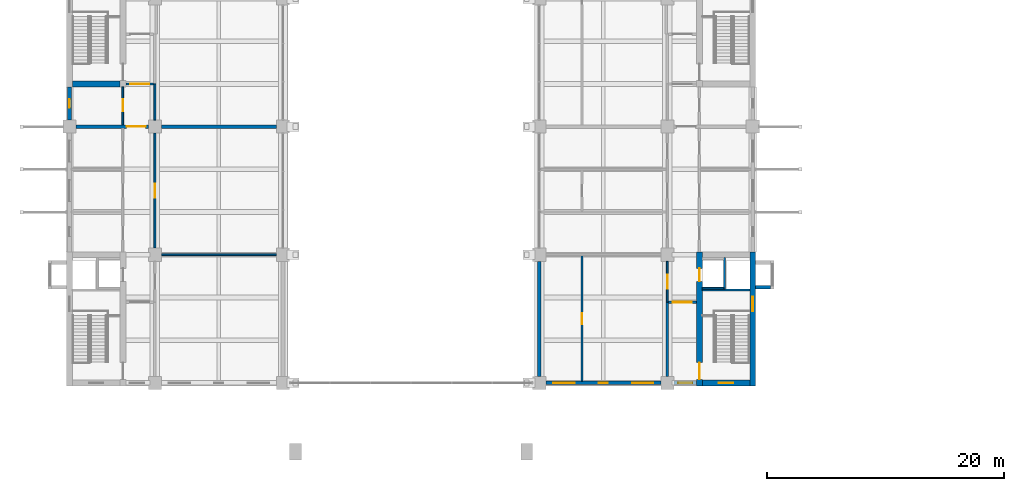
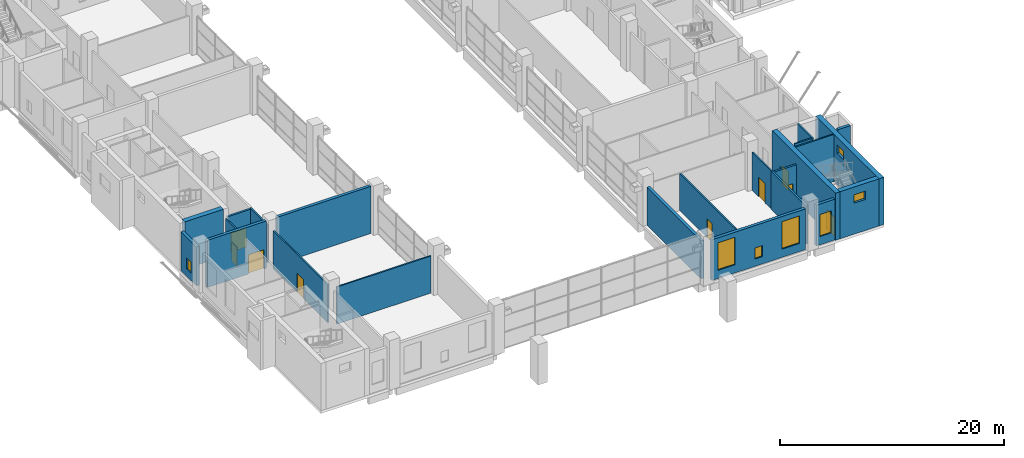
# One storey, part 18 of 38: 23 walls, 9 doors, 7 windows, 16 openings.
"""IFC4 building model written with IfcOpenShell, lengths in metres."""

from ifc_helpers import new_model, si_unit, direction, frame, frame_2d, origin, place, context, subcontext, project, spatial, rectangle, extrude, material, layer, layer_set, type_object, element, fill, save


model = new_model("IFC4")

# Units and contexts
model_context = context("Model", 3, precision=1e-05, world=origin(), true_north=direction((0.0, 1.0)))
body_context = subcontext(model_context, "Body", "Model", "MODEL_VIEW")
ifc_project = project(units=[si_unit("LENGTHUNIT", "METRE"), si_unit("AREAUNIT", "SQUARE_METRE"), si_unit("VOLUMEUNIT", "CUBIC_METRE"), si_unit("PLANEANGLEUNIT", "RADIAN"), si_unit("MASSUNIT", "GRAM", prefix="KILO")], contexts=[model_context])

# Site, building, storey
site_placement = place(None, origin())
site = spatial("IfcSite", under=ifc_project, at=site_placement, CompositionType="ELEMENT")
building_placement = place(site_placement, origin())
building = spatial("IfcBuilding", under=site, at=building_placement, Name="Basin Gate Institute", CompositionType="ELEMENT")
storey_placement = place(building_placement, frame((0.0, 0.0, 16.800048828125)))
storey = spatial("IfcBuildingStorey", under=building, at=storey_placement, Name="L03", CompositionType="ELEMENT", Elevation=16.800048828125)

# Wall
ifc_material_1 = material(Name="Fire-resisting board wall assembly")
ifc_layer_1 = layer(ifc_material_1, 0.300048828125)
ifc_layer_set_1 = layer_set([ifc_layer_1], Name="Atrium enclosure wall EW4")
wall_type_1 = type_object("IfcWallType", Name="Atrium enclosure wall EW4", PredefinedType="STANDARD", material=ifc_layer_set_1)
wall_1_placement = place(storey_placement, frame((100.800048828125, 35.64990234375, 0.0), z_axis=(0.0, 0.0, 1.0), x_axis=(0.0, 1.0, 0.0)))
element("IfcWall", 1, at=wall_1_placement, inside=storey, type_object=wall_type_1, material=ifc_layer_set_1, Name="Atrium enclosure wall E wing bay 1 L03", PredefinedType="STANDARD", context=body_context, shape_type="SweptSolid", body=[
    extrude(rectangle(XDim=9.7001953125, YDim=0.300048828125, at=frame_2d((4.85009765625, 0.0))), origin(), (0.0, 0.0, 1.0), 4.14990234375),
])

# Wall, opening, door
ifc_material_2 = material(Name="Fire-rated masonry", Category="masonry")
ifc_layer_2 = layer(ifc_material_2, 0.199951171875)
ifc_layer_set_2 = layer_set([ifc_layer_2], Name="Enclosure wall PW2 200 EI 60")
wall_type_2 = type_object("IfcWallType", Name="Enclosure wall PW2 200 EI 60", PredefinedType="PARTITIONING", material=ifc_layer_set_2)
wall_2_placement = place(storey_placement, frame((65.949951171875, 60.300048828125, 0.0), z_axis=(0.0, 0.0, 1.0), x_axis=(1.0, 0.0, 0.0)))
wall_2 = element("IfcWall", 2, at=wall_2_placement, inside=storey, type_object=wall_type_2, material=ifc_layer_set_2, Name="Smoke lobby enclosure wall PW2 L03", PredefinedType="PARTITIONING", context=body_context, shape_type="SweptSolid", body=[
    extrude(rectangle(XDim=2.35009765625, YDim=0.199951171875, at=frame_2d((1.175048828125, 0.0))), origin(), (0.0, 0.0, 1.0), 4.050048828125),
])
opening_1_placement = place(wall_2_placement, frame((0.375, 0.0, 0.0)))
opening_1 = element("IfcOpeningElement", 3, at=opening_1_placement, cuts=wall_2, Name="Opening DR192", PredefinedType="OPENING", context=body_context, shape_type="SweptSolid", body=[
    extrude(rectangle(XDim=1.60009765625, YDim=2.10009765625, at=frame_2d((0.800048828125, 1.050048828125))), frame((0.0, 0.10986328125, 0.0), z_axis=(0.0, -1.0, 0.0), x_axis=(1.0, 0.0, 0.0)), (0.0, 0.0, 1.0), 0.219970703125),
])
ifc_material_3 = material(Name="Steel fire door", Category="steel")
door_type_1 = type_object("IfcDoorType", Name="FD60 Smoke lobby door pair D8", OperationType="DOUBLE_DOOR_SINGLE_SWING", PredefinedType="DOOR", material=ifc_material_3)
door_1_placement = place(opening_1_placement, origin())
door_1 = element("IfcDoor", 4, at=door_1_placement, inside=storey, type_object=door_type_1, material=ifc_material_3, Name="Smoke lobby door SS2 L03", OperationType="DOUBLE_DOOR_SINGLE_SWING", OverallHeight=2.10009765625, OverallWidth=1.60009765625, PredefinedType="DOOR", context=body_context, shape_type="SweptSolid", body=[
    extrude(rectangle(XDim=1.60009765625, YDim=2.10009765625, at=frame_2d((0.800048828125, 1.050048828125))), frame((0.0, 0.02490234375, 0.0), z_axis=(0.0, -1.0, 0.0), x_axis=(1.0, 0.0, 0.0)), (0.0, 0.0, 1.0), 0.050048828125),
])
fill(opening_1, door_1)

wall_3_placement = place(storey_placement, frame((114.050048828125, 41.89990234375, 0.0), z_axis=(0.0, 0.0, 1.0), x_axis=(-1.0, 0.0, 0.0)))
wall_3 = element("IfcWall", 5, at=wall_3_placement, inside=storey, type_object=wall_type_2, material=ifc_layer_set_2, Name="Smoke lobby enclosure wall PW2 L03", PredefinedType="PARTITIONING", context=body_context, shape_type="SweptSolid", body=[
    extrude(rectangle(XDim=2.35009765625, YDim=0.199951171875, at=frame_2d((1.175048828125, 0.0))), origin(), (0.0, 0.0, 1.0), 4.050048828125),
])
opening_2_placement = place(wall_3_placement, frame((0.375, 0.0, 0.0)))
opening_2 = element("IfcOpeningElement", 6, at=opening_2_placement, cuts=wall_3, Name="Opening DR170", PredefinedType="OPENING", context=body_context, shape_type="SweptSolid", body=[
    extrude(rectangle(XDim=1.60009765625, YDim=2.10009765625, at=frame_2d((0.800048828125, 1.050048828125))), frame((0.0, 0.10986328125, 0.0), z_axis=(0.0, -1.0, 0.0), x_axis=(1.0, 0.0, 0.0)), (0.0, 0.0, 1.0), 0.219970703125),
])
door_2_placement = place(opening_2_placement, origin())
door_2 = element("IfcDoor", 7, at=door_2_placement, inside=storey, type_object=door_type_1, material=ifc_material_3, Name="Smoke lobby door SS4 L03", OperationType="DOUBLE_DOOR_SINGLE_SWING", OverallHeight=2.10009765625, OverallWidth=1.60009765625, PredefinedType="DOOR", context=body_context, shape_type="SweptSolid", body=[
    extrude(rectangle(XDim=1.60009765625, YDim=2.10009765625, at=frame_2d((0.800048828125, 1.050048828125))), frame((0.0, 0.02490234375, 0.0), z_axis=(0.0, -1.0, 0.0), x_axis=(1.0, 0.0, 0.0)), (0.0, 0.0, 1.0), 0.050048828125),
])
fill(opening_2, door_2)

# Wall
wall_4_placement = place(storey_placement, frame((111.60009765625, 35.64990234375, 0.0), z_axis=(0.0, 0.0, 1.0), x_axis=(0.0, 1.0, 0.0)))
element("IfcWall", 8, at=wall_4_placement, inside=storey, type_object=wall_type_2, material=ifc_layer_set_2, Name="Smoke lobby enclosure wall PW2 L03", PredefinedType="PARTITIONING", context=body_context, shape_type="SweptSolid", body=[
    extrude(rectangle(XDim=6.25, YDim=0.199951171875, at=frame_2d((3.125, 0.0))), origin(), (0.0, 0.0, 1.0), 4.14990234375),
])

# Wall, opening, window
ifc_material_4 = material(Name="Aluminium-faced insulated panel wall", Category="aluminium")
ifc_layer_3 = layer(ifc_material_4, 0.300048828125)
ifc_layer_set_3 = layer_set([ifc_layer_3], Name="External wall EW1 EI 120")
wall_type_3 = type_object("IfcWallType", Name="External wall EW1 EI 120", PredefinedType="STANDARD", material=ifc_layer_set_3)
wall_5_placement = place(storey_placement, frame((61.199951171875, 57.25, 0.0), z_axis=(0.0, 0.0, 1.0), x_axis=(0.0, 1.0, 0.0)))
wall_5 = element("IfcWall", 9, at=wall_5_placement, inside=storey, type_object=wall_type_3, material=ifc_layer_set_3, Name="External wall W facade L03 2", PredefinedType="STANDARD", context=body_context, shape_type="SweptSolid", body=[
    extrude(rectangle(XDim=2.800048828125, YDim=0.300048828125, at=frame_2d((1.39990234375, 0.0))), origin(), (0.0, 0.0, 1.0), 4.25),
])
opening_3_placement = place(wall_5_placement, frame((1.02490234375, 0.0, 0.800048828125)))
opening_3 = element("IfcOpeningElement", 10, at=opening_3_placement, cuts=wall_5, Name="Opening WN3", PredefinedType="OPENING", context=body_context, shape_type="SweptSolid", body=[
    extrude(rectangle(XDim=0.75, YDim=1.199951171875, at=frame_2d((0.375, 0.60009765625))), frame((0.0, 0.16015625, 0.0), z_axis=(0.0, -1.0, 0.0), x_axis=(1.0, 0.0, 0.0)), (0.0, 0.0, 1.0), 0.320068359375),
])
ifc_material_5 = material(Name="Aluminium-framed double glazing", Category="aluminium")
window_type_1 = type_object("IfcWindowType", Name="Emergency entry panel WN3", PartitioningType="SINGLE_PANEL", PredefinedType="WINDOW", material=ifc_material_5)
window_1_placement = place(opening_3_placement, origin())
window_1 = element("IfcWindow", 11, at=window_1_placement, inside=storey, type_object=window_type_1, material=ifc_material_5, Name="Emergency entry panel W facade L03 bay 7", OverallHeight=1.199951171875, OverallWidth=0.75, PartitioningType="SINGLE_PANEL", PredefinedType="WINDOW", context=body_context, shape_type="SweptSolid", body=[
    extrude(rectangle(XDim=0.75, YDim=1.199951171875, at=frame_2d((0.375, 0.60009765625))), frame((0.0, 0.030029296875, 0.0), z_axis=(0.0, -1.0, 0.0), x_axis=(1.0, 0.0, 0.0)), (0.0, 0.0, 1.0), 0.06005859375),
])
fill(opening_3, window_1)

wall_6_placement = place(storey_placement, frame((114.050048828125, 35.10009765625, 0.0), z_axis=(0.0, 0.0, 1.0), x_axis=(-1.0, 0.0, 0.0)))
wall_6 = element("IfcWall", 12, at=wall_6_placement, inside=storey, type_object=wall_type_3, material=ifc_layer_set_3, Name="External end wall E wing south L03 1", PredefinedType="STANDARD", context=body_context, shape_type="SweptSolid", body=[
    extrude(rectangle(XDim=1.900146484375, YDim=0.300048828125, at=frame_2d((0.9501953125, 0.0))), origin(), (0.0, 0.0, 1.0), 4.449951171875),
])
opening_4_placement = place(wall_6_placement, frame((0.35009765625, 0.0, 0.89990234375)))
opening_4 = element("IfcOpeningElement", 13, at=opening_4_placement, cuts=wall_6, Name="Opening WN4", PredefinedType="OPENING", context=body_context, shape_type="SweptSolid", body=[
    extrude(rectangle(XDim=1.199951171875, YDim=2.39990234375, at=frame_2d((0.60009765625, 1.199951171875))), frame((0.0, 0.16015625, 0.0), z_axis=(0.0, -1.0, 0.0), x_axis=(1.0, 0.0, 0.0)), (0.0, 0.0, 1.0), 0.320068359375),
])
ifc_material_6 = material(Name="Aluminium-framed double glazing", Category="aluminium")
window_type_2 = type_object("IfcWindowType", Name="Corridor end window WN4", PartitioningType="SINGLE_PANEL", PredefinedType="WINDOW", material=ifc_material_6)
window_2_placement = place(opening_4_placement, origin())
window_2 = element("IfcWindow", 14, at=window_2_placement, inside=storey, type_object=window_type_2, material=ifc_material_6, Name="Corridor end window E wing S L03", OverallHeight=2.39990234375, OverallWidth=1.199951171875, PartitioningType="SINGLE_PANEL", PredefinedType="WINDOW", context=body_context, shape_type="SweptSolid", body=[
    extrude(rectangle(XDim=1.199951171875, YDim=2.39990234375, at=frame_2d((0.60009765625, 1.199951171875))), frame((0.0, 0.030029296875, 0.0), z_axis=(0.0, -1.0, 0.0), x_axis=(1.0, 0.0, 0.0)), (0.0, 0.0, 1.0), 0.06005859375),
])
fill(opening_4, window_2)

# Wall, openings, windows
wall_7_placement = place(storey_placement, frame((111.050048828125, 35.10009765625, 0.0), z_axis=(0.0, 0.0, 1.0), x_axis=(-1.0, 0.0, 0.0)))
wall_7 = element("IfcWall", 15, at=wall_7_placement, inside=storey, type_object=wall_type_3, material=ifc_layer_set_3, Name="External end wall E wing south L03 2", PredefinedType="STANDARD", context=body_context, shape_type="SweptSolid", body=[
    extrude(rectangle(XDim=9.699951171875, YDim=0.300048828125, at=frame_2d((4.85009765625, 0.0))), origin(), (0.0, 0.0, 1.0), 4.449951171875),
])
opening_5_placement = place(wall_7_placement, frame((0.625, 0.0, 0.89990234375)))
opening_5 = element("IfcOpeningElement", 16, at=opening_5_placement, cuts=wall_7, Name="Opening WN2", PredefinedType="OPENING", context=body_context, shape_type="SweptSolid", body=[
    extrude(rectangle(XDim=1.800048828125, YDim=3.0, at=frame_2d((0.89990234375, 1.5))), frame((0.0, 0.16015625, 0.0), z_axis=(0.0, -1.0, 0.0), x_axis=(1.0, 0.0, 0.0)), (0.0, 0.0, 1.0), 0.320068359375),
])
opening_6_placement = place(wall_7_placement, frame((4.47509765625, 0.0, 0.800048828125)))
opening_6 = element("IfcOpeningElement", 17, at=opening_6_placement, cuts=wall_7, Name="Opening WN3", PredefinedType="OPENING", context=body_context, shape_type="SweptSolid", body=[
    extrude(rectangle(XDim=0.75, YDim=1.199951171875, at=frame_2d((0.375, 0.60009765625))), frame((0.0, 0.16015625, 0.0), z_axis=(0.0, -1.0, 0.0), x_axis=(1.0, 0.0, 0.0)), (0.0, 0.0, 1.0), 0.320068359375),
])
opening_7_placement = place(wall_7_placement, frame((7.27490234375, 0.0, 0.89990234375)))
opening_7 = element("IfcOpeningElement", 18, at=opening_7_placement, cuts=wall_7, Name="Opening WN2", PredefinedType="OPENING", context=body_context, shape_type="SweptSolid", body=[
    extrude(rectangle(XDim=1.800048828125, YDim=3.0, at=frame_2d((0.89990234375, 1.5))), frame((0.0, 0.16015625, 0.0), z_axis=(0.0, -1.0, 0.0), x_axis=(1.0, 0.0, 0.0)), (0.0, 0.0, 1.0), 0.320068359375),
])
window_3_placement = place(opening_6_placement, origin())
window_3 = element("IfcWindow", 19, at=window_3_placement, inside=storey, type_object=window_type_1, material=ifc_material_5, Name="Emergency entry panel E wing end S L03 bay 2", OverallHeight=1.199951171875, OverallWidth=0.75, PartitioningType="SINGLE_PANEL", PredefinedType="WINDOW", context=body_context, shape_type="SweptSolid", body=[
    extrude(rectangle(XDim=0.75, YDim=1.199951171875, at=frame_2d((0.375, 0.60009765625))), frame((0.0, 0.030029296875, 0.0), z_axis=(0.0, -1.0, 0.0), x_axis=(1.0, 0.0, 0.0)), (0.0, 0.0, 1.0), 0.06005859375),
])
fill(opening_6, window_3)
ifc_material_7 = material(Name="Aluminium-framed double glazing", Category="aluminium")
window_type_3 = type_object("IfcWindowType", Name="Podium window WN2", PartitioningType="SINGLE_PANEL", PredefinedType="WINDOW", material=ifc_material_7)
window_4_placement = place(opening_5_placement, origin())
window_4 = element("IfcWindow", 20, at=window_4_placement, inside=storey, type_object=window_type_3, material=ifc_material_7, Name="Podium window E wing end S L03 bay 1", OverallHeight=3.0, OverallWidth=1.800048828125, PartitioningType="SINGLE_PANEL", PredefinedType="WINDOW", context=body_context, shape_type="SweptSolid", body=[
    extrude(rectangle(XDim=1.800048828125, YDim=3.0, at=frame_2d((0.89990234375, 1.5))), frame((0.0, 0.030029296875, 0.0), z_axis=(0.0, -1.0, 0.0), x_axis=(1.0, 0.0, 0.0)), (0.0, 0.0, 1.0), 0.06005859375),
])
fill(opening_5, window_4)
window_5_placement = place(opening_7_placement, origin())
window_5 = element("IfcWindow", 21, at=window_5_placement, inside=storey, type_object=window_type_3, material=ifc_material_7, Name="Podium window E wing end S L03 bay 3", OverallHeight=3.0, OverallWidth=1.800048828125, PartitioningType="SINGLE_PANEL", PredefinedType="WINDOW", context=body_context, shape_type="SweptSolid", body=[
    extrude(rectangle(XDim=1.800048828125, YDim=3.0, at=frame_2d((0.89990234375, 1.5))), frame((0.0, 0.030029296875, 0.0), z_axis=(0.0, -1.0, 0.0), x_axis=(1.0, 0.0, 0.0)), (0.0, 0.0, 1.0), 0.06005859375),
])
fill(opening_7, window_5)

# Wall, opening, door
ifc_material_8 = material(Name="Gypsum board on steel stud", Category="steel")
ifc_layer_4 = layer(ifc_material_8, 0.14990234375)
ifc_layer_set_4 = layer_set([ifc_layer_4], Name="Gypsum board on steel stud")
wall_type_4 = type_object("IfcWallType", Name="Partition PW1 150 EI 60", PredefinedType="PARTITIONING", material=ifc_layer_set_4)
wall_8_placement = place(storey_placement, frame((65.699951171875, 56.85009765625, 0.0), z_axis=(0.0, 0.0, 1.0), x_axis=(0.0, 1.0, 0.0)))
wall_8 = element("IfcWall", 22, at=wall_8_placement, inside=storey, type_object=wall_type_4, material=ifc_layer_set_4, Name="Corridor wall PW1 L03", PredefinedType="PARTITIONING", context=body_context, shape_type="SweptSolid", body=[
    extrude(rectangle(XDim=3.199951171875, YDim=0.14990234375, at=frame_2d((1.60009765625, 0.0))), origin(), (0.0, 0.0, 1.0), 4.050048828125),
])
opening_8_placement = place(wall_8_placement, frame((1.14990234375, 0.0, 0.0)))
opening_8 = element("IfcOpeningElement", 23, at=opening_8_placement, cuts=wall_8, Name="Opening DR187", PredefinedType="OPENING", context=body_context, shape_type="SweptSolid", body=[
    extrude(rectangle(XDim=1.0, YDim=2.10009765625, at=frame_2d((0.5, 1.050048828125))), frame((0.0, 0.0849609375, 0.0), z_axis=(0.0, -1.0, 0.0), x_axis=(1.0, 0.0, 0.0)), (0.0, 0.0, 1.0), 0.169921875),
])
ifc_material_9 = material(Name="Timber fire door", Category="wood")
door_type_2 = type_object("IfcDoorType", Name="FD30 Office door D1", OperationType="NOTDEFINED", PredefinedType="DOOR", material=ifc_material_9)
door_3_placement = place(opening_8_placement, origin())
door_3 = element("IfcDoor", 24, at=door_3_placement, inside=storey, type_object=door_type_2, material=ifc_material_9, Name="Door to Write-up Office 0304 L03", OperationType="SINGLE_SWING_RIGHT", OverallHeight=2.10009765625, OverallWidth=1.0, PredefinedType="DOOR", context=body_context, shape_type="SweptSolid", body=[
    extrude(rectangle(XDim=1.0, YDim=2.10009765625, at=frame_2d((0.5, 1.050048828125))), frame((0.0, 0.02490234375, 0.0), z_axis=(0.0, -1.0, 0.0), x_axis=(1.0, 0.0, 0.0)), (0.0, 0.0, 1.0), 0.050048828125),
])
fill(opening_8, door_3)

wall_9_placement = place(storey_placement, frame((68.39990234375, 46.449951171875, 0.0), z_axis=(0.0, 0.0, 1.0), x_axis=(0.0, 1.0, 0.0)))
wall_9 = element("IfcWall", 25, at=wall_9_placement, inside=storey, type_object=wall_type_4, material=ifc_layer_set_4, Name="Laboratory corridor wall PW1 L03", PredefinedType="PARTITIONING", context=body_context, shape_type="SweptSolid", body=[
    extrude(rectangle(XDim=9.699951171875, YDim=0.14990234375, at=frame_2d((4.85009765625, 0.0))), origin(), (0.0, 0.0, 1.0), 4.14990234375),
])
opening_9_placement = place(wall_9_placement, frame((4.25, 0.0, 0.0)))
opening_9 = element("IfcOpeningElement", 26, at=opening_9_placement, cuts=wall_9, Name="Opening DR182", PredefinedType="OPENING", context=body_context, shape_type="SweptSolid", body=[
    extrude(rectangle(XDim=1.199951171875, YDim=2.10009765625, at=frame_2d((0.60009765625, 1.050048828125))), frame((0.0, 0.0849609375, 0.0), z_axis=(0.0, -1.0, 0.0), x_axis=(1.0, 0.0, 0.0)), (0.0, 0.0, 1.0), 0.169921875),
])
ifc_material_10 = material(Name="Timber fire door", Category="wood")
door_type_3 = type_object("IfcDoorType", Name="FD30 Laboratory door D2", OperationType="DOUBLE_DOOR_SINGLE_SWING", PredefinedType="DOOR", material=ifc_material_10)
door_4_placement = place(opening_9_placement, frame((1.199951171875, 0.0, 0.0), z_axis=(0.0, 0.0, 1.0), x_axis=(-1.0, 0.0, 0.0)))
door_4 = element("IfcDoor", 27, at=door_4_placement, inside=storey, type_object=door_type_3, material=ifc_material_10, Name="Door to Wet Laboratory 0318 L03", OperationType="DOUBLE_DOOR_SINGLE_SWING", OverallHeight=2.10009765625, OverallWidth=1.199951171875, PredefinedType="DOOR", context=body_context, shape_type="SweptSolid", body=[
    extrude(rectangle(XDim=1.199951171875, YDim=2.10009765625, at=frame_2d((0.60009765625, 1.050048828125))), frame((0.0, 0.02490234375, 0.0), z_axis=(0.0, -1.0, 0.0), x_axis=(1.0, 0.0, 0.0)), (0.0, 0.0, 1.0), 0.050048828125),
])
fill(opening_9, door_4)

# Walls
wall_10_placement = place(storey_placement, frame((68.39990234375, 57.25, 0.0), z_axis=(0.0, 0.0, 1.0), x_axis=(0.0, 1.0, 0.0)))
element("IfcWall", 28, at=wall_10_placement, inside=storey, type_object=wall_type_4, material=ifc_layer_set_4, Name="Laboratory corridor wall PW1 L03", PredefinedType="PARTITIONING", context=body_context, shape_type="SweptSolid", body=[
    extrude(rectangle(XDim=3.050048828125, YDim=0.14990234375, at=frame_2d((1.52490234375, 0.0))), origin(), (0.0, 0.0, 1.0), 4.14990234375),
])
wall_11_placement = place(storey_placement, frame((68.949951171875, 45.89990234375, 0.0), z_axis=(0.0, 0.0, 1.0), x_axis=(1.0, 0.0, 0.0)))
element("IfcWall", 29, at=wall_11_placement, inside=storey, type_object=wall_type_4, material=ifc_layer_set_4, Name="Laboratory partition PW1 L03", PredefinedType="PARTITIONING", context=body_context, shape_type="SweptSolid", body=[
    extrude(rectangle(XDim=9.699951171875, YDim=0.14990234375, at=frame_2d((4.85009765625, 0.0))), origin(), (0.0, 0.0, 1.0), 4.050048828125),
])

# Wall, opening, door
wall_12_placement = place(storey_placement, frame((111.60009765625, 41.89990234375, 0.0), z_axis=(0.0, 0.0, 1.0), x_axis=(0.0, 1.0, 0.0)))
wall_12 = element("IfcWall", 30, at=wall_12_placement, inside=storey, type_object=wall_type_4, material=ifc_layer_set_4, Name="Laboratory corridor wall PW1 L03", PredefinedType="PARTITIONING", context=body_context, shape_type="SweptSolid", body=[
    extrude(rectangle(XDim=3.4501953125, YDim=0.14990234375, at=frame_2d((1.72509765625, 0.0))), origin(), (0.0, 0.0, 1.0), 4.14990234375),
])
opening_10_placement = place(wall_12_placement, frame((1.125, 0.0, 0.0)))
opening_10 = element("IfcOpeningElement", 31, at=opening_10_placement, cuts=wall_12, Name="Opening DR153", PredefinedType="OPENING", context=body_context, shape_type="SweptSolid", body=[
    extrude(rectangle(XDim=1.199951171875, YDim=2.10009765625, at=frame_2d((0.60009765625, 1.050048828125))), frame((0.0, 0.0849609375, 0.0), z_axis=(0.0, -1.0, 0.0), x_axis=(1.0, 0.0, 0.0)), (0.0, 0.0, 1.0), 0.169921875),
])
door_5_placement = place(opening_10_placement, origin())
door_5 = element("IfcDoor", 32, at=door_5_placement, inside=storey, type_object=door_type_3, material=ifc_material_10, Name="Door to Exhaust Fan Room 0366 L03", OperationType="DOUBLE_DOOR_SINGLE_SWING", OverallHeight=2.10009765625, OverallWidth=1.199951171875, PredefinedType="DOOR", context=body_context, shape_type="SweptSolid", body=[
    extrude(rectangle(XDim=1.199951171875, YDim=2.10009765625, at=frame_2d((0.60009765625, 1.050048828125))), frame((0.0, 0.02490234375, 0.0), z_axis=(0.0, -1.0, 0.0), x_axis=(1.0, 0.0, 0.0)), (0.0, 0.0, 1.0), 0.050048828125),
])
fill(opening_10, door_5)

wall_13_placement = place(storey_placement, frame((104.39990234375, 35.25, 0.0), z_axis=(0.0, 0.0, 1.0), x_axis=(0.0, 1.0, 0.0)))
wall_13 = element("IfcWall", 33, at=wall_13_placement, inside=storey, type_object=wall_type_4, material=ifc_layer_set_4, Name="Laboratory partition PW1 L03", PredefinedType="PARTITIONING", context=body_context, shape_type="SweptSolid", body=[
    extrude(rectangle(XDim=10.574951171875, YDim=0.14990234375, at=frame_2d((5.28759765625, 0.0))), origin(), (0.0, 0.0, 1.0), 4.050048828125),
])
opening_11_placement = place(wall_13_placement, frame((4.800048828125, 0.0, 0.0)))
opening_11 = element("IfcOpeningElement", 34, at=opening_11_placement, cuts=wall_13, Name="Opening DR162", PredefinedType="OPENING", context=body_context, shape_type="SweptSolid", body=[
    extrude(rectangle(XDim=0.89990234375, YDim=2.10009765625, at=frame_2d((0.449951171875, 1.050048828125))), frame((0.0, 0.0849609375, 0.0), z_axis=(0.0, -1.0, 0.0), x_axis=(1.0, 0.0, 0.0)), (0.0, 0.0, 1.0), 0.169921875),
])
ifc_material_11 = material(Name="Steel fire door", Category="steel")
door_type_4 = type_object("IfcDoorType", Name="FD60 Riser door D10", OperationType="NOTDEFINED", PredefinedType="DOOR", material=ifc_material_11)
door_6_placement = place(opening_11_placement, origin())
door_6 = element("IfcDoor", 35, at=door_6_placement, inside=storey, type_object=door_type_4, material=ifc_material_11, Name="Door to Riser Room 0367 L03", OperationType="SINGLE_SWING_LEFT", OverallHeight=2.10009765625, OverallWidth=0.89990234375, PredefinedType="DOOR", context=body_context, shape_type="SweptSolid", body=[
    extrude(rectangle(XDim=0.89990234375, YDim=2.10009765625, at=frame_2d((0.449951171875, 1.050048828125))), frame((0.0, 0.02490234375, 0.0), z_axis=(0.0, -1.0, 0.0), x_axis=(1.0, 0.0, 0.0)), (0.0, 0.0, 1.0), 0.050048828125),
])
fill(opening_11, door_6)

# Walls
ifc_material_12 = material(Name="Concrete 40 MPa", Category="concrete")
ifc_layer_5 = layer(ifc_material_12, 0.14990234375)
ifc_layer_set_5 = layer_set([ifc_layer_5], Name="Concrete 40 MPa")
wall_type_5 = type_object("IfcWallType", Name="Wall LS1 lift shaft enclosure R180", PredefinedType="SOLIDWALL", material=ifc_layer_set_5)
wall_14_placement = place(storey_placement, frame((116.425048828125, 43.0, 0.0), z_axis=(0.0, 0.0, 1.0), x_axis=(0.0, 1.0, 0.0)))
element("IfcWall", 36, at=wall_14_placement, inside=storey, type_object=wall_type_5, material=ifc_layer_set_5, Name="Lift shaft enclosure LP4 L03 UL", PredefinedType="SOLIDWALL", context=body_context, shape_type="SweptSolid", body=[
    extrude(rectangle(XDim=2.64990234375, YDim=0.14990234375, at=frame_2d((1.324951171875, 0.0))), origin(), (0.0, 0.0, 1.0), 5.39990234375),
])
wall_15_placement = place(storey_placement, frame((116.35009765625, 43.074951171875, 0.0), z_axis=(0.0, 0.0, 1.0), x_axis=(-1.0, 0.0, 0.0)))
element("IfcWall", 37, at=wall_15_placement, inside=storey, type_object=wall_type_5, material=ifc_layer_set_5, Name="Lift shaft enclosure LP4 L03 RL", PredefinedType="SOLIDWALL", context=body_context, shape_type="SweptSolid", body=[
    extrude(rectangle(XDim=1.800048828125, YDim=0.14990234375, at=frame_2d((0.89990234375, 0.0))), origin(), (0.0, 0.0, 1.0), 5.39990234375),
])
ifc_material_13 = material(Name="Concrete 40 MPa", Category="concrete")
ifc_layer_6 = layer(ifc_material_13, 0.14990234375)
ifc_layer_set_6 = layer_set([ifc_layer_6], Name="Concrete 40 MPa")
wall_type_6 = type_object("IfcWallType", Name="Wall SE1 stair enclosure R180", PredefinedType="SOLIDWALL", material=ifc_layer_set_6)
wall_16_placement = place(storey_placement, frame((118.550048828125, 42.925048828125, 0.0), z_axis=(0.0, 0.0, 1.0), x_axis=(-1.0, 0.0, 0.0)))
element("IfcWall", 38, at=wall_16_placement, inside=storey, type_object=wall_type_6, material=ifc_layer_set_6, Name="Stair enclosure wall ST-ES L03", PredefinedType="SOLIDWALL", context=body_context, shape_type="SweptSolid", body=[
    extrude(rectangle(XDim=4.0, YDim=0.14990234375, at=frame_2d((2.0, 0.0))), origin(), (0.0, 0.0, 1.0), 5.14990234375),
])
ifc_material_14 = material(Name="Concrete 50 MPa", Category="concrete")
ifc_layer_7 = layer(ifc_material_14, 0.300048828125)
ifc_layer_set_7 = layer_set([ifc_layer_7], Name="Concrete 50 MPa")
wall_type_7 = type_object("IfcWallType", Name="Wall SK1 R180", PredefinedType="SHEAR", material=ifc_layer_set_7)
wall_17_placement = place(storey_placement, frame((119.050048828125, 43.14990234375, 0.0), z_axis=(0.0, 0.0, 1.0), x_axis=(1.0, 0.0, 0.0)))
element("IfcWall", 39, at=wall_17_placement, inside=storey, type_object=wall_type_7, material=ifc_layer_set_7, Name="Spine riser stack wall SK1 ES A L03", PredefinedType="SHEAR", context=body_context, shape_type="SweptSolid", body=[
    extrude(rectangle(XDim=1.25, YDim=0.300048828125, at=frame_2d((0.625, 0.0))), origin(), (0.0, 0.0, 1.0), 5.39990234375),
])
ifc_material_15 = material(Name="Concrete 60 MPa", Category="concrete")
ifc_layer_8 = layer(ifc_material_15, 0.5)
ifc_layer_set_8 = layer_set([ifc_layer_8], Name="Concrete 60 MPa")
wall_type_8 = type_object("IfcWallType", Name="Wall SW1 R180", PredefinedType="SHEAR", material=ifc_layer_set_8)
wall_18_placement = place(storey_placement, frame((61.449951171875, 60.300048828125, 0.0), z_axis=(0.0, 0.0, 1.0), x_axis=(1.0, 0.0, 0.0)))
element("IfcWall", 40, at=wall_18_placement, inside=storey, type_object=wall_type_8, material=ifc_layer_set_8, Name="WALL/L03/WM/S", PredefinedType="SHEAR", context=body_context, shape_type="SweptSolid", body=[
    extrude(rectangle(XDim=4.0, YDim=0.5, at=frame_2d((2.0, 0.0))), origin(), (0.0, 0.0, 1.0), 5.14990234375),
])

# Wall, opening, window
wall_19_placement = place(storey_placement, frame((118.800048828125, 34.85009765625, 0.0), z_axis=(0.0, 0.0, 1.0), x_axis=(0.0, 1.0, 0.0)))
wall_19 = element("IfcWall", 41, at=wall_19_placement, inside=storey, type_object=wall_type_8, material=ifc_layer_set_8, Name="WALL/L03/ES/L", PredefinedType="SHEAR", context=body_context, shape_type="SweptSolid", body=[
    extrude(rectangle(XDim=11.2998046875, YDim=0.5, at=frame_2d((5.64990234375, 0.0))), origin(), (0.0, 0.0, 1.0), 5.14990234375),
])
opening_12_placement = place(wall_19_placement, frame((6.300048828125, 0.0, 3.39990234375)))
opening_12 = element("IfcOpeningElement", 42, at=opening_12_placement, cuts=wall_19, Name="Opening WT1", PredefinedType="OPENING", context=body_context, shape_type="SweptSolid", body=[
    extrude(rectangle(XDim=1.199951171875, YDim=0.89990234375, at=frame_2d((0.60009765625, 0.449951171875))), frame((0.0, 0.260009765625, 0.0), z_axis=(0.0, -1.0, 0.0), x_axis=(1.0, 0.0, 0.0)), (0.0, 0.0, 1.0), 0.52001953125),
])
ifc_material_16 = material(Name="Fire-resistant glazing in steel-free frame", Category="steel")
window_type_4 = type_object("IfcWindowType", Name="Rated stair window EI 180 WT1", PartitioningType="SINGLE_PANEL", PredefinedType="WINDOW", material=ifc_material_16)
window_6_placement = place(opening_12_placement, origin())
window_6 = element("IfcWindow", 43, at=window_6_placement, inside=storey, type_object=window_type_4, material=ifc_material_16, Name="Rated stair window EI 180 ES landing L03", OverallHeight=0.89990234375, OverallWidth=1.199951171875, PartitioningType="SINGLE_PANEL", PredefinedType="WINDOW", context=body_context, shape_type="SweptSolid", body=[
    extrude(rectangle(XDim=1.199951171875, YDim=0.89990234375, at=frame_2d((0.60009765625, 0.449951171875))), frame((0.0, 0.030029296875, 0.0), z_axis=(0.0, -1.0, 0.0), x_axis=(1.0, 0.0, 0.0)), (0.0, 0.0, 1.0), 0.06005859375),
])
fill(opening_12, window_6)

# Wall, openings, doors
wall_20_placement = place(storey_placement, frame((114.300048828125, 34.85009765625, 0.0), z_axis=(0.0, 0.0, 1.0), x_axis=(0.0, 1.0, 0.0)))
wall_20 = element("IfcWall", 44, at=wall_20_placement, inside=storey, type_object=wall_type_8, material=ifc_layer_set_8, Name="WALL/L03/ES/C", PredefinedType="SHEAR", context=body_context, shape_type="SweptSolid", body=[
    extrude(rectangle(XDim=11.2998046875, YDim=0.5, at=frame_2d((5.64990234375, 0.0))), origin(), (0.0, 0.0, 1.0), 5.14990234375),
])
opening_13_placement = place(wall_20_placement, frame((0.550048828125, 0.0, 0.0)))
opening_13 = element("IfcOpeningElement", 45, at=opening_13_placement, cuts=wall_20, Name="Opening DS022", PredefinedType="OPENING", context=body_context, shape_type="SweptSolid", body=[
    extrude(rectangle(XDim=1.39990234375, YDim=2.10009765625, at=frame_2d((0.699951171875, 1.050048828125))), frame((0.0, 0.260009765625, 0.0), z_axis=(0.0, -1.0, 0.0), x_axis=(1.0, 0.0, 0.0)), (0.0, 0.0, 1.0), 0.52001953125),
])
opening_14_placement = place(wall_20_placement, frame((8.800048828125, 0.0, 0.0)))
opening_14 = element("IfcOpeningElement", 46, at=opening_14_placement, cuts=wall_20, Name="Opening LD075", PredefinedType="OPENING", context=body_context, shape_type="SweptSolid", body=[
    extrude(rectangle(XDim=1.10009765625, YDim=2.10009765625, at=frame_2d((0.550048828125, 1.050048828125))), frame((0.0, 0.260009765625, 0.0), z_axis=(0.0, -1.0, 0.0), x_axis=(1.0, 0.0, 0.0)), (0.0, 0.0, 1.0), 0.52001953125),
])
ifc_material_17 = material(Name="Steel fire door", Category="steel")
door_type_5 = type_object("IfcDoorType", Name="FD30 Stair enclosure door DS", OperationType="DOUBLE_DOOR_SINGLE_SWING", PredefinedType="DOOR", material=ifc_material_17)
door_7_placement = place(opening_13_placement, frame((1.39990234375, 0.0, 0.0), z_axis=(0.0, 0.0, 1.0), x_axis=(-1.0, 0.0, 0.0)))
door_7 = element("IfcDoor", 47, at=door_7_placement, inside=storey, type_object=door_type_5, material=ifc_material_17, Name="Stair enclosure door ST-ES L03", OperationType="DOUBLE_DOOR_SINGLE_SWING", OverallHeight=2.10009765625, OverallWidth=1.39990234375, PredefinedType="DOOR", context=body_context, shape_type="SweptSolid", body=[
    extrude(rectangle(XDim=1.39990234375, YDim=2.10009765625, at=frame_2d((0.699951171875, 1.050048828125))), frame((0.0, 0.02490234375, 0.0), z_axis=(0.0, -1.0, 0.0), x_axis=(1.0, 0.0, 0.0)), (0.0, 0.0, 1.0), 0.050048828125),
])
fill(opening_13, door_7)
ifc_material_18 = material(Name="Stainless steel", Category="steel")
door_type_6 = type_object("IfcDoorType", Name="FD60 Lift landing door LD", OperationType="SLIDING_TO_LEFT", PredefinedType="DOOR", material=ifc_material_18)
door_8_placement = place(opening_14_placement, origin())
door_8 = element("IfcDoor", 48, at=door_8_placement, inside=storey, type_object=door_type_6, material=ifc_material_18, Name="Lift landing door LP4 L03", OperationType="SLIDING_TO_LEFT", OverallHeight=2.10009765625, OverallWidth=1.10009765625, PredefinedType="DOOR", context=body_context, shape_type="SweptSolid", body=[
    extrude(rectangle(XDim=1.10009765625, YDim=2.10009765625, at=frame_2d((0.550048828125, 1.050048828125))), frame((0.0, 0.02490234375, 0.0), z_axis=(0.0, -1.0, 0.0), x_axis=(1.0, 0.0, 0.0)), (0.0, 0.0, 1.0), 0.050048828125),
])
fill(opening_14, door_8)

# Wall, opening, window
wall_21_placement = place(storey_placement, frame((118.550048828125, 35.10009765625, 0.0), z_axis=(0.0, 0.0, 1.0), x_axis=(-1.0, 0.0, 0.0)))
wall_21 = element("IfcWall", 49, at=wall_21_placement, inside=storey, type_object=wall_type_8, material=ifc_layer_set_8, Name="WALL/L03/ES/S", PredefinedType="SHEAR", context=body_context, shape_type="SweptSolid", body=[
    extrude(rectangle(XDim=4.0, YDim=0.5, at=frame_2d((2.0, 0.0))), origin(), (0.0, 0.0, 1.0), 5.14990234375),
])
opening_15_placement = place(wall_21_placement, frame((1.39990234375, 0.0, 3.39990234375)))
opening_15 = element("IfcOpeningElement", 50, at=opening_15_placement, cuts=wall_21, Name="Opening WT1", PredefinedType="OPENING", context=body_context, shape_type="SweptSolid", body=[
    extrude(rectangle(XDim=1.199951171875, YDim=0.89990234375, at=frame_2d((0.60009765625, 0.449951171875))), frame((0.0, 0.260009765625, 0.0), z_axis=(0.0, -1.0, 0.0), x_axis=(1.0, 0.0, 0.0)), (0.0, 0.0, 1.0), 0.52001953125),
])
window_7_placement = place(opening_15_placement, origin())
window_7 = element("IfcWindow", 51, at=window_7_placement, inside=storey, type_object=window_type_4, material=ifc_material_16, Name="Rated stair window EI 180 ES end L03", OverallHeight=0.89990234375, OverallWidth=1.199951171875, PartitioningType="SINGLE_PANEL", PredefinedType="WINDOW", context=body_context, shape_type="SweptSolid", body=[
    extrude(rectangle(XDim=1.199951171875, YDim=0.89990234375, at=frame_2d((0.60009765625, 0.449951171875))), frame((0.0, 0.030029296875, 0.0), z_axis=(0.0, -1.0, 0.0), x_axis=(1.0, 0.0, 0.0)), (0.0, 0.0, 1.0), 0.06005859375),
])
fill(opening_15, window_7)

# Wall, opening, door
ifc_material_19 = material(Name="Concrete 50 MPa", Category="concrete")
ifc_layer_9 = layer(ifc_material_19, 0.300048828125)
ifc_layer_set_9 = layer_set([ifc_layer_9], Name="Concrete 50 MPa")
wall_type_9 = type_object("IfcWallType", Name="Wall XW1 R180", PredefinedType="SHEAR", material=ifc_layer_set_9)
wall_22_placement = place(storey_placement, frame((61.75, 56.699951171875, 0.0), z_axis=(0.0, 0.0, 1.0), x_axis=(1.0, 0.0, 0.0)))
wall_22 = element("IfcWall", 52, at=wall_22_placement, inside=storey, type_object=wall_type_9, material=ifc_layer_set_9, Name="WALL/L03/WXC/1", PredefinedType="SHEAR", context=body_context, shape_type="SweptSolid", body=[
    extrude(rectangle(XDim=6.10009765625, YDim=0.300048828125, at=frame_2d((3.050048828125, 0.0))), origin(), (0.0, 0.0, 1.0), 5.14990234375),
])
opening_16_placement = place(wall_22_placement, frame((4.262451171875, 0.0, 0.0)))
opening_16 = element("IfcOpeningElement", 53, at=opening_16_placement, cuts=wall_22, Name="Opening DR195", PredefinedType="OPENING", context=body_context, shape_type="SweptSolid", body=[
    extrude(rectangle(XDim=1.60009765625, YDim=2.10009765625, at=frame_2d((0.800048828125, 1.050048828125))), frame((0.0, 0.16015625, 0.0), z_axis=(0.0, -1.0, 0.0), x_axis=(1.0, 0.0, 0.0)), (0.0, 0.0, 1.0), 0.320068359375),
])
ifc_material_20 = material(Name="Steel fire door", Category="steel")
door_type_7 = type_object("IfcDoorType", Name="FD60 Compartment door pair D7", OperationType="DOUBLE_DOOR_SINGLE_SWING", PredefinedType="DOOR", material=ifc_material_20)
door_9_placement = place(opening_16_placement, origin())
door_9 = element("IfcDoor", 54, at=door_9_placement, inside=storey, type_object=door_type_7, material=ifc_material_20, Name="Compartment door pair L03 W1 L03", OperationType="DOUBLE_DOOR_SINGLE_SWING", OverallHeight=2.10009765625, OverallWidth=1.60009765625, PredefinedType="DOOR", context=body_context, shape_type="SweptSolid", body=[
    extrude(rectangle(XDim=1.60009765625, YDim=2.10009765625, at=frame_2d((0.800048828125, 1.050048828125))), frame((0.0, 0.02490234375, 0.0), z_axis=(0.0, -1.0, 0.0), x_axis=(1.0, 0.0, 0.0)), (0.0, 0.0, 1.0), 0.050048828125),
])
fill(opening_16, door_9)

# Wall
wall_23_placement = place(storey_placement, frame((68.949951171875, 56.699951171875, 0.0), z_axis=(0.0, 0.0, 1.0), x_axis=(1.0, 0.0, 0.0)))
element("IfcWall", 55, at=wall_23_placement, inside=storey, type_object=wall_type_9, material=ifc_layer_set_9, Name="WALL/L03/WXC/2", PredefinedType="SHEAR", context=body_context, shape_type="SweptSolid", body=[
    extrude(rectangle(XDim=9.699951171875, YDim=0.300048828125, at=frame_2d((4.85009765625, 0.0))), origin(), (0.0, 0.0, 1.0), 5.14990234375),
])

save(model, "model.ifc")
